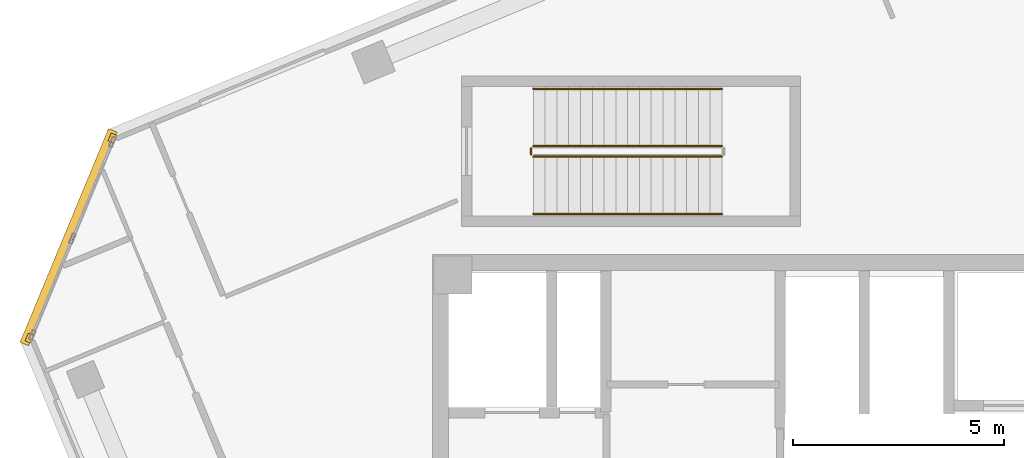
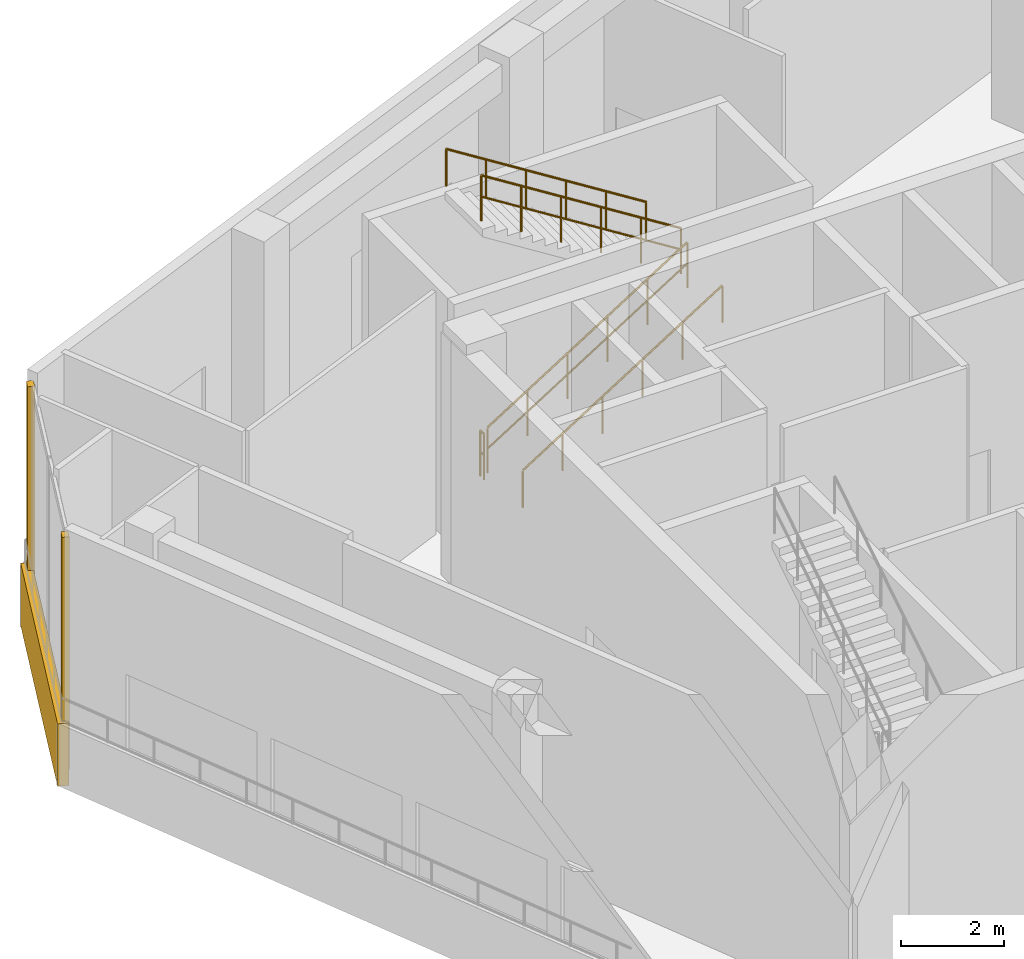
# One storey, part 13 of 16: 5 railings, 3 coverings.
"""IFC4 building model written with IfcOpenShell, lengths in metres."""

from ifc_helpers import new_model, si_unit, direction, frame, origin, origin_2d, place, context, subcontext, project, spatial, rectangle, circle, extrude, source, transform, mapped, material, layer, layer_set, type_object, element, save


model = new_model("IFC4")

# Units and contexts
model_context = context("Model", 3, precision=1e-05, world=origin(), true_north=direction((0.0, 1.0)))
body_context = subcontext(model_context, "Body", "Model", "MODEL_VIEW")
ifc_project = project(units=[si_unit("LENGTHUNIT", "METRE"), si_unit("AREAUNIT", "SQUARE_METRE"), si_unit("VOLUMEUNIT", "CUBIC_METRE"), si_unit("PLANEANGLEUNIT", "RADIAN"), si_unit("MASSUNIT", "GRAM", prefix="KILO")], contexts=[model_context])

# Site, building, storey
site_placement = place(None, origin())
site = spatial("IfcSite", under=ifc_project, at=site_placement, CompositionType="ELEMENT")
building_placement = place(site_placement, origin())
building = spatial("IfcBuilding", under=site, at=building_placement, Name="Torre Montelarca", CompositionType="ELEMENT")
storey_placement = place(building_placement, frame((0.0, 0.0, 349.199951171875)))
storey = spatial("IfcBuildingStorey", under=building, at=storey_placement, Name="L79", CompositionType="ELEMENT", Elevation=349.199951171875)

# Railings
ifc_material_1 = material(Name="Powder-coated steel ASTM A500 Grade C", Category="steel")
railing_type_1 = type_object("IfcRailingType", Name="RL-GUARD-1100", PredefinedType="BALUSTRADE", material=ifc_material_1)
railing_1_placement = place(storey_placement, frame((11.4599609375, 42.260009765625, 0.176513671875)))
element("IfcRailing", 1, at=railing_1_placement, inside=storey, type_object=railing_type_1, Name="L79 ST5 stair guard 1", PredefinedType="BALUSTRADE", context=body_context, shape_type="SweptSolid", body=[
    extrude(circle(Radius=0.02392578125, at=origin_2d()), frame((0.0, 0.0, 1.076171875), z_axis=(0.845997938375, 0.0, 0.533186166611), x_axis=(0.0, 1.0, 0.0)), (0.0, 0.0, 1.0), 5.29541015625),
    extrude(circle(Radius=0.02099609375, at=origin_2d()), frame((0.0, 0.0, 0.572021484375), z_axis=(0.845997938375, 0.0, 0.533186166611), x_axis=(0.0, 1.0, 0.0)), (0.0, 0.0, 1.0), 5.29541015625),
    extrude(circle(Radius=0.02099609375, at=origin_2d()), origin(), (0.0, 0.0, 1.0), 1.052001953125),
    extrude(circle(Radius=0.02099609375, at=origin_2d()), frame((0.89599609375, 0.0, 0.564697265625)), (0.0, 0.0, 1.0), 1.052001953125),
    extrude(circle(Radius=0.02099609375, at=origin_2d()), frame((1.7919921875, 0.0, 1.12939453125)), (0.0, 0.0, 1.0), 1.052001953125),
    extrude(circle(Radius=0.02099609375, at=origin_2d()), frame((2.68798828125, 0.0, 1.694091796875)), (0.0, 0.0, 1.0), 1.052001953125),
    extrude(circle(Radius=0.02099609375, at=origin_2d()), frame((3.583984375, 0.0, 2.2587890625)), (0.0, 0.0, 1.0), 1.052001953125),
    extrude(circle(Radius=0.02099609375, at=origin_2d()), frame((4.47998046875, 0.0, 2.823486328125)), (0.0, 0.0, 1.0), 1.052001953125),
])
railing_2_placement = place(storey_placement, frame((15.93994140625, 42.510009765625, 3.176513671875)))
element("IfcRailing", 2, at=railing_2_placement, inside=storey, type_object=railing_type_1, Name="L79 ST5 stair guard 3", PredefinedType="BALUSTRADE", context=body_context, shape_type="SweptSolid", body=[
    extrude(circle(Radius=0.02392578125, at=origin_2d()), frame((0.0, 0.0, 1.076171875), z_axis=(-0.845997938375, 0.0, 0.533186166611), x_axis=(0.0, -1.0, 0.0)), (0.0, 0.0, 1.0), 5.29541015625),
    extrude(circle(Radius=0.02099609375, at=origin_2d()), frame((0.0, 0.0, 0.572021484375), z_axis=(-0.845997938375, 0.0, 0.533186166611), x_axis=(0.0, -1.0, 0.0)), (0.0, 0.0, 1.0), 5.29541015625),
    extrude(circle(Radius=0.02099609375, at=origin_2d()), origin(), (0.0, 0.0, 1.0), 1.052001953125),
    extrude(circle(Radius=0.02099609375, at=origin_2d()), frame((-0.89599609375, 0.0, 0.564697265625)), (0.0, 0.0, 1.0), 1.052001953125),
    extrude(circle(Radius=0.02099609375, at=origin_2d()), frame((-1.7919921875, 0.0, 1.12939453125)), (0.0, 0.0, 1.0), 1.052001953125),
    extrude(circle(Radius=0.02099609375, at=origin_2d()), frame((-2.68798828125, 0.0, 1.694091796875)), (0.0, 0.0, 1.0), 1.052001953125),
    extrude(circle(Radius=0.02099609375, at=origin_2d()), frame((-3.583984375, 0.0, 2.2587890625)), (0.0, 0.0, 1.0), 1.052001953125),
    extrude(circle(Radius=0.02099609375, at=origin_2d()), frame((-4.47998046875, 0.0, 2.823486328125)), (0.0, 0.0, 1.0), 1.052001953125),
])
railing_3_placement = place(storey_placement, frame((11.409912109375, 42.31005859375, 0.0)))
element("IfcRailing", 3, at=railing_3_placement, inside=storey, type_object=railing_type_1, Name="L79 ST5 stair guard 4", PredefinedType="BALUSTRADE", context=body_context, shape_type="SweptSolid", body=[
    extrude(circle(Radius=0.02392578125, at=origin_2d()), frame((0.0, 0.0, 1.076171875), z_axis=(0.0, 1.0, 0.0), x_axis=(-1.0, 0.0, 0.0)), (0.0, 0.0, 1.0), 0.14990234375),
    extrude(circle(Radius=0.02099609375, at=origin_2d()), frame((0.0, 0.0, 0.572021484375), z_axis=(0.0, 1.0, 0.0), x_axis=(-1.0, 0.0, 0.0)), (0.0, 0.0, 1.0), 0.14990234375),
    extrude(circle(Radius=0.02099609375, at=origin_2d()), origin(), (0.0, 0.0, 1.0), 1.052001953125),
    extrude(circle(Radius=0.02099609375, at=origin_2d()), frame((0.0, 0.14990234375, 0.0)), (0.0, 0.0, 1.0), 1.052001953125),
])
ifc_material_2 = material(Name="Brushed stainless steel AISI 316", Category="steel")
railing_type_2 = type_object("IfcRailingType", Name="RL-HANDRAIL-900", PredefinedType="HANDRAIL", material=ifc_material_2)
railing_4_placement = place(storey_placement, frame((11.4599609375, 40.89990234375, 0.176513671875)))
element("IfcRailing", 4, at=railing_4_placement, inside=storey, type_object=railing_type_2, Name="L79 ST5 stair handrail 1", PredefinedType="HANDRAIL", context=body_context, shape_type="SweptSolid", body=[
    extrude(circle(Radius=0.02392578125, at=origin_2d()), frame((0.0, 0.0, 0.8759765625), z_axis=(0.845997938375, 0.0, 0.533186166611), x_axis=(0.0, 1.0, 0.0)), (0.0, 0.0, 1.0), 5.29541015625),
    extrude(circle(Radius=0.02099609375, at=origin_2d()), origin(), (0.0, 0.0, 1.0), 0.851806640625),
    extrude(circle(Radius=0.02099609375, at=origin_2d()), frame((0.89599609375, 0.0, 0.564697265625)), (0.0, 0.0, 1.0), 0.851806640625),
    extrude(circle(Radius=0.02099609375, at=origin_2d()), frame((1.7919921875, 0.0, 1.12939453125)), (0.0, 0.0, 1.0), 0.851806640625),
    extrude(circle(Radius=0.02099609375, at=origin_2d()), frame((2.68798828125, 0.0, 1.694091796875)), (0.0, 0.0, 1.0), 0.851806640625),
    extrude(circle(Radius=0.02099609375, at=origin_2d()), frame((3.583984375, 0.0, 2.2587890625)), (0.0, 0.0, 1.0), 0.851806640625),
    extrude(circle(Radius=0.02099609375, at=origin_2d()), frame((4.47998046875, 0.0, 2.823486328125)), (0.0, 0.0, 1.0), 0.851806640625),
])
railing_5_placement = place(storey_placement, frame((15.93994140625, 43.8701171875, 3.176513671875)))
element("IfcRailing", 5, at=railing_5_placement, inside=storey, type_object=railing_type_2, Name="L79 ST5 stair handrail 2", PredefinedType="HANDRAIL", context=body_context, shape_type="SweptSolid", body=[
    extrude(circle(Radius=0.02392578125, at=origin_2d()), frame((0.0, 0.0, 0.8759765625), z_axis=(-0.845997938375, 0.0, 0.533186166611), x_axis=(0.0, -1.0, 0.0)), (0.0, 0.0, 1.0), 5.29541015625),
    extrude(circle(Radius=0.02099609375, at=origin_2d()), origin(), (0.0, 0.0, 1.0), 0.851806640625),
    extrude(circle(Radius=0.02099609375, at=origin_2d()), frame((-0.89599609375, 0.0, 0.564697265625)), (0.0, 0.0, 1.0), 0.851806640625),
    extrude(circle(Radius=0.02099609375, at=origin_2d()), frame((-1.7919921875, 0.0, 1.12939453125)), (0.0, 0.0, 1.0), 0.851806640625),
    extrude(circle(Radius=0.02099609375, at=origin_2d()), frame((-2.68798828125, 0.0, 1.694091796875)), (0.0, 0.0, 1.0), 0.851806640625),
    extrude(circle(Radius=0.02099609375, at=origin_2d()), frame((-3.583984375, 0.0, 2.2587890625)), (0.0, 0.0, 1.0), 0.851806640625),
    extrude(circle(Radius=0.02099609375, at=origin_2d()), frame((-4.47998046875, 0.0, 2.823486328125)), (0.0, 0.0, 1.0), 0.851806640625),
])

# Coverings
ifc_material_3 = material(Name="Bush-hammered warm white precast concrete C45/55", Category="concrete")
ifc_layer = layer(ifc_material_3, 0.139892578125, Name="Bush-hammered warm white precast concrete C45/55", Category="concrete")
ifc_layer_set = layer_set([ifc_layer], Name="Bush-hammered warm white precast concrete C45/55")
covering_type = type_object("IfcCoveringType", Name="COV-TRAY-CLAD", PredefinedType="CLADDING", material=ifc_layer_set)
shared_shape_1 = source(origin(), body_context, "Body", "SweptSolid", [
    extrude(rectangle(XDim=0.199951171875, YDim=0.139892578125, at=origin_2d()), origin(), (0.0, 0.0, 1.0), 5.52001953125),
])
for number, where, z_axis, x_axis, name in (
    (6, (1.46142578125, 42.700439453125, 0.0), (0.0, 0.0, 1.0), (-0.382680207415, -0.923880868323, 0.0), "L79 Architectural Column Pier Cladding E11-1"),
    (7, (-0.50634765625, 37.94970703125, 0.0), (0.0, 0.0, 1.0), (-0.382680207415, -0.923880868323, 0.0), "L79 Architectural Column Pier Cladding E11-2"),
):
    element("IfcCovering", number, at=place(storey_placement, frame(where, z_axis=z_axis, x_axis=x_axis)), inside=storey, type_object=covering_type, Name=name, PredefinedType="CLADDING", context=body_context, shape_type="MappedRepresentation", body=[
        mapped(shared_shape_1, transform((0.0, 0.0, 0.0), scale=1.0)),
    ])
shared_shape_2 = source(origin(), body_context, "Body", "SweptSolid", [
    extrude(rectangle(XDim=5.493896484375, YDim=0.219970703125, at=origin_2d()), origin(), (0.0, 0.0, 1.0), 1.47998046875),
])
covering_placement = place(storey_placement, frame((0.422119140625, 40.34814453125, -0.31982421875), z_axis=(0.0, 0.0, 1.0), x_axis=(-0.382678594938, -0.923881536224, 0.0)))
element("IfcCovering", 8, at=covering_placement, inside=storey, type_object=covering_type, Name="L79 Architectural White Spandrel Tray Band DMPRNG-11", PredefinedType="CLADDING", context=body_context, shape_type="MappedRepresentation", body=[
    mapped(shared_shape_2, transform((0.0, 0.0, 0.0), scale=1.0)),
])

save(model, "model.ifc")
